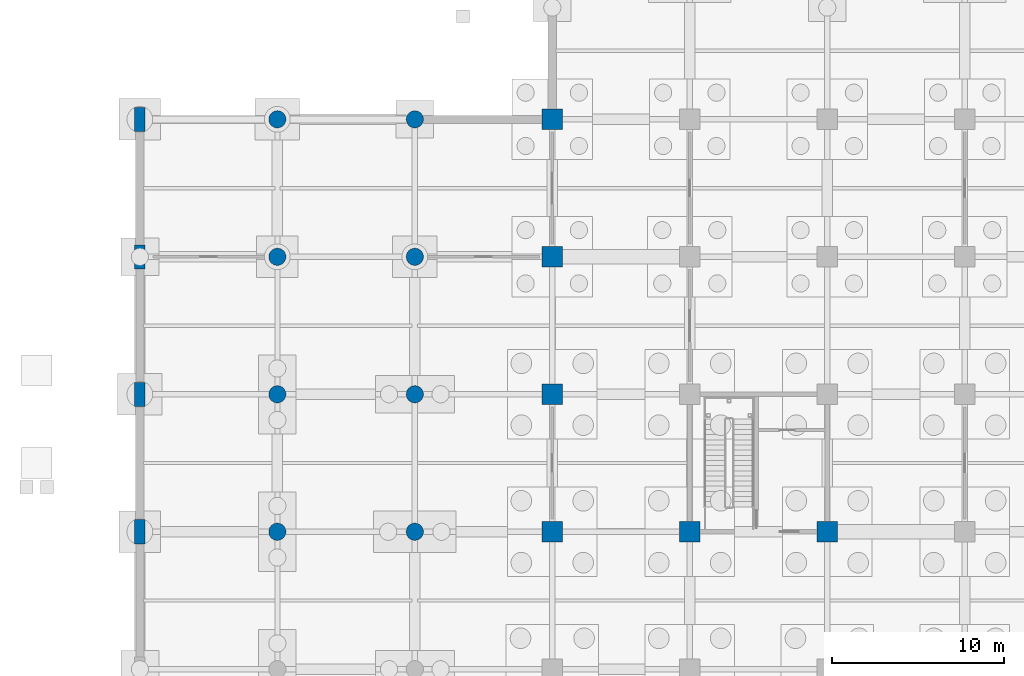
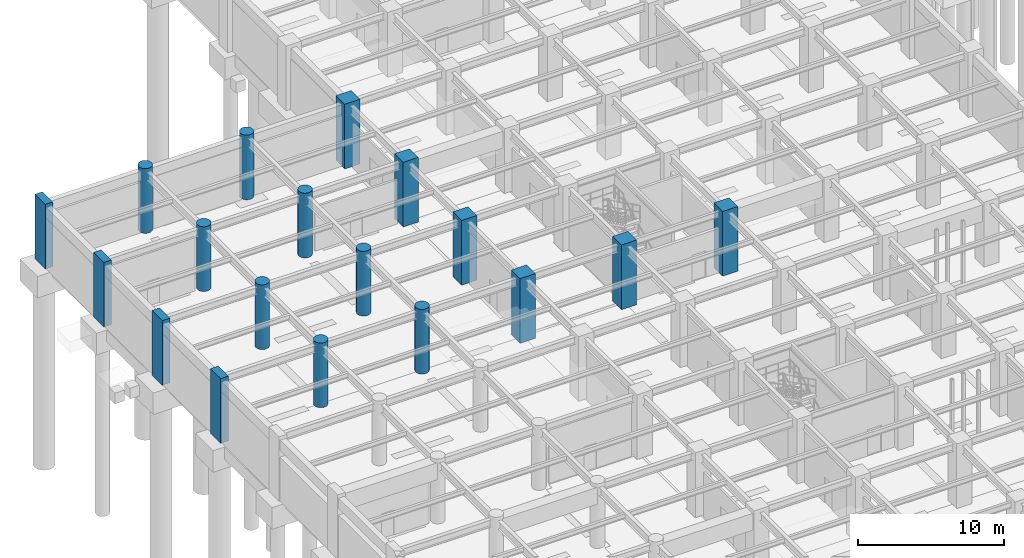
# One storey, part 49 of 97: 18 columns.
"""IFC4 building model written with IfcOpenShell, lengths in metres."""

from ifc_helpers import new_model, si_unit, direction, frame, origin, origin_2d, place, context, subcontext, project, spatial, rectangle, circle, extrude, material, material_profile, profile_set, type_object, element, save


model = new_model("IFC4")

# Units and contexts
model_context = context("Model", 3, precision=1e-05, world=origin(), true_north=direction((0.0, 1.0)))
body_context = subcontext(model_context, "Body", "Model", "MODEL_VIEW")
ifc_project = project(units=[si_unit("LENGTHUNIT", "METRE"), si_unit("AREAUNIT", "SQUARE_METRE"), si_unit("VOLUMEUNIT", "CUBIC_METRE"), si_unit("PLANEANGLEUNIT", "RADIAN"), si_unit("MASSUNIT", "GRAM", prefix="KILO")], contexts=[model_context])

# Site, building, storey
site_placement = place(None, origin())
site = spatial("IfcSite", under=ifc_project, at=site_placement, CompositionType="ELEMENT")
building_placement = place(site_placement, origin())
building = spatial("IfcBuilding", under=site, at=building_placement, Name="Haebicheon Civic Stadium", CompositionType="ELEMENT")
storey_placement = place(building_placement, frame((0.0, 0.0, -5.39990234375)))
storey = spatial("IfcBuildingStorey", under=building, at=storey_placement, Name="B1", CompositionType="ELEMENT", Elevation=-5.39990234375)

# Columns
ifc_material_1 = material(Name="Concrete C40/50", Category="concrete")
ifc_material_profile_1 = material_profile(ifc_material_1, rectangle(XDim=1.199951171875, YDim=1.199951171875, at=origin_2d()), Name="RC-COL-1200x1200")
ifc_profile_set_1 = profile_set([ifc_material_profile_1], Name="Concrete C40/50")
column_type_1 = type_object("IfcColumnType", Name="COL-RC-1200", PredefinedType="COLUMN", material=ifc_profile_set_1)
for number, where, z_axis, x_axis, name in (
    (1, (24.0, 128.0, 0.0), (0.0, 0.0, 1.0), (1.0, 0.0, 0.0), "B1 column 4/S"),
    (2, (24.0, 136.0, 0.0), (0.0, 0.0, 1.0), (1.0, 0.0, 0.0), "B1 column 4/T"),
    (3, (24.0, 144.0, 0.0), (0.0, 0.0, 1.0), (1.0, 0.0, 0.0), "B1 column 4/U"),
    (4, (24.0, 152.0, 0.0), (0.0, 0.0, 1.0), (1.0, 0.0, 0.0), "B1 column 4/V"),
    (5, (32.0, 128.0, 0.0), (0.0, 0.0, 1.0), (1.0, 0.0, 0.0), "B1 column 5/S"),
    (6, (40.0, 128.0, 0.0), (0.0, 0.0, 1.0), (1.0, 0.0, 0.0), "B1 column 6/S"),
):
    element("IfcColumn", number, at=place(storey_placement, frame(where, z_axis=z_axis, x_axis=x_axis)), inside=storey, type_object=column_type_1, material=ifc_profile_set_1, Name=name, PredefinedType="COLUMN", context=body_context, shape_type="SweptSolid", body=[
        extrude(rectangle(XDim=1.199951171875, YDim=1.199951171875, at=origin_2d()), origin(), (0.0, 0.0, 1.0), 5.39990234375),
    ])
ifc_material_2 = material(Name="Concrete C40/50", Category="concrete")
ifc_material_profile_2 = material_profile(ifc_material_2, circle(Radius=0.5, at=origin_2d()), Name="RC-COL-D1000")
ifc_profile_set_2 = profile_set([ifc_material_profile_2], Name="Concrete C40/50")
column_type_2 = type_object("IfcColumnType", Name="COL-RC-D1000", PredefinedType="COLUMN", material=ifc_profile_set_2)
for number, where, z_axis, x_axis, name in (
    (7, (8.0, 128.0, 0.0), (0.0, 0.0, 1.0), (1.0, 0.0, 0.0), "B1 column 2/S"),
    (8, (8.0, 136.0, 0.0), (0.0, 0.0, 1.0), (1.0, 0.0, 0.0), "B1 column 2/T"),
    (9, (8.0, 144.0, 0.0), (0.0, 0.0, 1.0), (1.0, 0.0, 0.0), "B1 column 2/U"),
    (10, (8.0, 152.0, 0.0), (0.0, 0.0, 1.0), (1.0, 0.0, 0.0), "B1 column 2/V"),
    (11, (16.0, 128.0, 0.0), (0.0, 0.0, 1.0), (1.0, 0.0, 0.0), "B1 column 3/S"),
    (12, (16.0, 136.0, 0.0), (0.0, 0.0, 1.0), (1.0, 0.0, 0.0), "B1 column 3/T"),
    (13, (16.0, 144.0, 0.0), (0.0, 0.0, 1.0), (1.0, 0.0, 0.0), "B1 column 3/U"),
    (14, (16.0, 152.0, 0.0), (0.0, 0.0, 1.0), (1.0, 0.0, 0.0), "B1 column 3/V"),
):
    element("IfcColumn", number, at=place(storey_placement, frame(where, z_axis=z_axis, x_axis=x_axis)), inside=storey, type_object=column_type_2, material=ifc_profile_set_2, Name=name, PredefinedType="COLUMN", context=body_context, shape_type="SweptSolid", body=[
        extrude(circle(Radius=0.5, at=origin_2d()), origin(), (0.0, 0.0, 1.0), 5.39990234375),
    ])
ifc_material_3 = material(Name="Concrete C40/50", Category="concrete")
ifc_material_profile_3 = material_profile(ifc_material_3, rectangle(XDim=0.60009765625, YDim=1.39990234375, at=origin_2d()), Name="RC-PIL-600x1400")
ifc_profile_set_3 = profile_set([ifc_material_profile_3], Name="Concrete C40/50")
column_type_3 = type_object("IfcColumnType", Name="PIL-RC-600x1400", PredefinedType="PILASTER", material=ifc_profile_set_3)
for number, where, z_axis, x_axis, name in (
    (15, (0.0, 128.0, 0.0), (0.0, 0.0, 1.0), (1.0, 0.0, 0.0), "B1 column 1/S"),
    (16, (0.0, 136.0, 0.0), (0.0, 0.0, 1.0), (1.0, 0.0, 0.0), "B1 column 1/T"),
    (17, (0.0, 144.0, 0.0), (0.0, 0.0, 1.0), (1.0, 0.0, 0.0), "B1 column 1/U"),
    (18, (0.0, 152.0, 0.0), (0.0, 0.0, 1.0), (1.0, 0.0, 0.0), "B1 column 1/V"),
):
    element("IfcColumn", number, at=place(storey_placement, frame(where, z_axis=z_axis, x_axis=x_axis)), inside=storey, type_object=column_type_3, material=ifc_profile_set_3, Name=name, PredefinedType="PILASTER", context=body_context, shape_type="SweptSolid", body=[
        extrude(rectangle(XDim=0.60009765625, YDim=1.39990234375, at=origin_2d()), origin(), (0.0, 0.0, 1.0), 5.39990234375),
    ])

save(model, "model.ifc")
